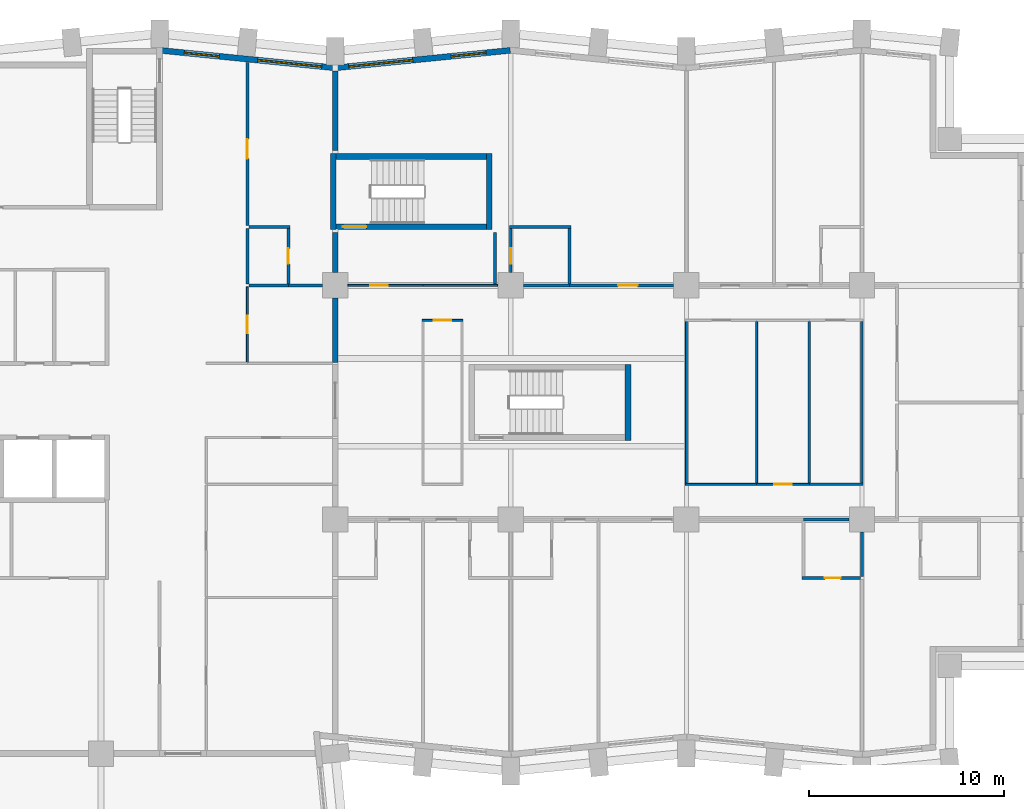
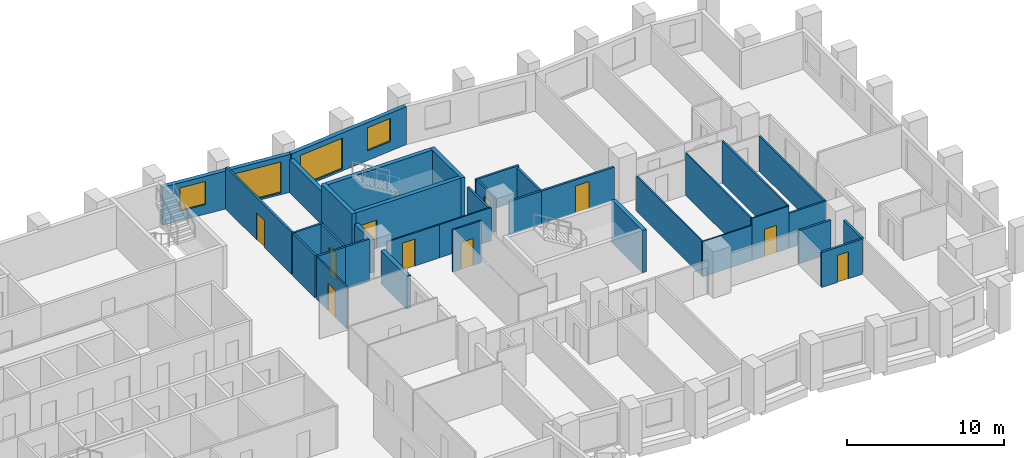
# One storey, part 8 of 12: 36 walls, 10 doors, 4 windows, 14 openings.
"""IFC4 building model written with IfcOpenShell, lengths in metres."""

from ifc_helpers import new_model, si_unit, direction, frame, frame_2d, origin, place, context, subcontext, project, spatial, rectangle, extrude, material, layer, layer_set, type_object, element, fill, save


model = new_model("IFC4")

# Units and contexts
model_context = context("Model", 3, precision=1e-05, world=origin(), true_north=direction((0.0, 1.0)))
body_context = subcontext(model_context, "Body", "Model", "MODEL_VIEW")
ifc_project = project(units=[si_unit("LENGTHUNIT", "METRE"), si_unit("AREAUNIT", "SQUARE_METRE"), si_unit("VOLUMEUNIT", "CUBIC_METRE"), si_unit("PLANEANGLEUNIT", "RADIAN"), si_unit("MASSUNIT", "GRAM", prefix="KILO")], contexts=[model_context])

# Site, building, storey
site_placement = place(None, origin())
site = spatial("IfcSite", under=ifc_project, at=site_placement, CompositionType="ELEMENT")
building_placement = place(site_placement, origin())
building = spatial("IfcBuilding", under=site, at=building_placement, Name="Brondeck Convention Tower", CompositionType="ELEMENT")
storey_placement = place(building_placement, frame((0.0, 0.0, 80.699951171875)))
storey = spatial("IfcBuildingStorey", under=building, at=storey_placement, Name="L18", CompositionType="ELEMENT", Elevation=80.699951171875)

# Walls
ifc_material_1 = material(Name="Concrete compartment wall C30/37", Category="concrete")
ifc_layer_1 = layer(ifc_material_1, 0.300048828125)
ifc_layer_set_1 = layer_set([ifc_layer_1], Name="Compartment wall 300")
wall_type_1 = type_object("IfcWallType", Name="Compartment wall 300", PredefinedType="PARTITIONING", material=ifc_layer_set_1)
wall_1_placement = place(storey_placement, frame((36.0, 50.344970703125, 0.0), z_axis=(0.0, 0.0, 1.0), x_axis=(0.0, -1.0, 0.0)))
element("IfcWall", 1, at=wall_1_placement, inside=storey, type_object=wall_type_1, Name="FLR-L18-W103", PredefinedType="PARTITIONING", context=body_context, shape_type="SweptSolid", body=[
    extrude(rectangle(XDim=3.294921875, YDim=0.300048828125, at=frame_2d((1.6474609375, 0.0))), origin(), (0.0, 0.0, 1.0), 2.580078125),
])
wall_2_placement = place(storey_placement, frame((36.0, 53.699951171875, 0.0), z_axis=(0.0, 0.0, 1.0), x_axis=(0.0, -1.0, 0.0)))
element("IfcWall", 2, at=wall_2_placement, inside=storey, type_object=wall_type_1, Name="FLR-L18-W118", PredefinedType="PARTITIONING", context=body_context, shape_type="SweptSolid", body=[
    extrude(rectangle(XDim=2.044921875, YDim=0.300048828125, at=frame_2d((1.0224609375, 0.0))), origin(), (0.0, 0.0, 1.0), 2.580078125),
])
wall_3_placement = place(storey_placement, frame((36.0, 61.97509765625, 0.0), z_axis=(0.0, 0.0, 1.0), x_axis=(0.0, -1.0, 0.0)))
element("IfcWall", 3, at=wall_3_placement, inside=storey, type_object=wall_type_1, Name="FLR-L18-W127", PredefinedType="PARTITIONING", context=body_context, shape_type="SweptSolid", body=[
    extrude(rectangle(XDim=4.0751953125, YDim=0.300048828125, at=frame_2d((2.03759765625, 0.0))), origin(), (0.0, 0.0, 1.0), 2.580078125),
])

# Wall, openings, windows
ifc_material_2 = material(Name="Precast concrete C50/60 bronze finish", Category="concrete")
ifc_layer_2 = layer(ifc_material_2, 0.070068359375, Name="Bronze precast facing")
ifc_material_3 = material(Name="Mineral wool")
ifc_layer_3 = layer(ifc_material_3, 0.159912109375, Name="Insulation")
ifc_material_4 = material(Name="Concrete C35/45", Category="concrete")
ifc_layer_4 = layer(ifc_material_4, 0.070068359375, Name="Backing")
ifc_layer_set_2 = layer_set([ifc_layer_2, ifc_layer_3, ifc_layer_4], Name="External infill wall, precast concrete C50/60 bronze facing")
wall_type_2 = type_object("IfcWallType", Name="External infill wall, precast concrete C50/60 bronze facing", PredefinedType="SOLIDWALL", material=ifc_layer_set_2)
wall_4_placement = place(storey_placement, frame((35.985107421875, 62.144287109375, 0.0), z_axis=(0.0, 0.0, 1.0), x_axis=(0.995037993253, 0.099495688264, 0.0)))
wall_4 = element("IfcWall", 4, at=wall_4_placement, inside=storey, type_object=wall_type_2, Name="ENV-EW-L18-P0-A-N-09", PredefinedType="SOLIDWALL", context=body_context, shape_type="SweptSolid", body=[
    extrude(rectangle(XDim=9.030029296875, YDim=0.300048828125, at=frame_2d((4.51513671875, 0.0))), origin(), (0.0, 0.0, 1.0), 2.949951171875),
])
opening_1_placement = place(wall_4_placement, frame((0.711181640625, 0.0, 0.14990234375)))
opening_1 = element("IfcOpeningElement", 5, at=opening_1_placement, cuts=wall_4, Name="Opening W9", PredefinedType="OPENING", context=body_context, shape_type="SweptSolid", body=[
    extrude(rectangle(XDim=3.300048828125, YDim=2.39990234375, at=frame_2d((1.64990234375, 1.199951171875))), frame((0.0, 0.159912109375, 0.0), z_axis=(0.0, -1.0, 0.0), x_axis=(1.0, 0.0, 0.0)), (0.0, 0.0, 1.0), 0.320068359375),
])
opening_2_placement = place(wall_4_placement, frame((5.983642578125, 0.0, 0.75)))
opening_2 = element("IfcOpeningElement", 6, at=opening_2_placement, cuts=wall_4, Name="Opening W10", PredefinedType="OPENING", context=body_context, shape_type="SweptSolid", body=[
    extrude(rectangle(XDim=1.800048828125, YDim=1.800048828125, at=frame_2d((0.89990234375, 0.89990234375))), frame((0.0, 0.159912109375, 0.0), z_axis=(0.0, -1.0, 0.0), x_axis=(1.0, 0.0, 0.0)), (0.0, 0.0, 1.0), 0.320068359375),
])
ifc_material_5 = material(Name="Bronze tinted double glazing", Category="glass")
window_type_1 = type_object("IfcWindowType", Name="Glazed flute window, bronze tinted", PartitioningType="SINGLE_PANEL", PredefinedType="WINDOW", material=ifc_material_5)
window_1_placement = place(opening_1_placement, origin())
window_1 = element("IfcWindow", 7, at=window_1_placement, inside=storey, type_object=window_type_1, Name="ENV-WN-L18-P0-A-N-08", OverallHeight=2.39990234375, OverallWidth=3.300048828125, PartitioningType="SINGLE_PANEL", PredefinedType="WINDOW", context=body_context, shape_type="SweptSolid", body=[
    extrude(rectangle(XDim=3.300048828125, YDim=2.39990234375, at=frame_2d((1.64990234375, 1.199951171875))), frame((0.0, 0.030029296875, 0.0), z_axis=(0.0, -1.0, 0.0), x_axis=(1.0, 0.0, 0.0)), (0.0, 0.0, 1.0), 0.06005859375),
])
fill(opening_1, window_1)
window_type_2 = type_object("IfcWindowType", Name="Punched window, bronze tinted", PartitioningType="SINGLE_PANEL", PredefinedType="WINDOW", material=ifc_material_5)
window_2_placement = place(opening_2_placement, origin())
window_2 = element("IfcWindow", 8, at=window_2_placement, inside=storey, type_object=window_type_2, Name="ENV-WN-L18-P0-A-N-09", OverallHeight=1.800048828125, OverallWidth=1.800048828125, PartitioningType="SINGLE_PANEL", PredefinedType="WINDOW", context=body_context, shape_type="SweptSolid", body=[
    extrude(rectangle(XDim=1.800048828125, YDim=1.800048828125, at=frame_2d((0.89990234375, 0.89990234375))), frame((0.0, 0.030029296875, 0.0), z_axis=(0.0, -1.0, 0.0), x_axis=(1.0, 0.0, 0.0)), (0.0, 0.0, 1.0), 0.06005859375),
])
fill(opening_2, window_2)

wall_5_placement = place(storey_placement, frame((27.064697265625, 63.039306640625, 0.0), z_axis=(0.0, 0.0, 1.0), x_axis=(0.995036379926, -0.099511821531, 0.0)))
wall_5 = element("IfcWall", 9, at=wall_5_placement, inside=storey, type_object=wall_type_2, Name="ENV-EW-L18-P0-A-N-07", PredefinedType="SOLIDWALL", context=body_context, shape_type="SweptSolid", body=[
    extrude(rectangle(XDim=8.949951171875, YDim=0.300048828125, at=frame_2d((4.47509765625, 0.0))), origin(), (0.0, 0.0, 1.0), 2.949951171875),
])
opening_3_placement = place(wall_5_placement, frame((1.211181640625, 0.0, 0.75)))
opening_3 = element("IfcOpeningElement", 10, at=opening_3_placement, cuts=wall_5, Name="Opening W10", PredefinedType="OPENING", context=body_context, shape_type="SweptSolid", body=[
    extrude(rectangle(XDim=1.800048828125, YDim=1.800048828125, at=frame_2d((0.89990234375, 0.89990234375))), frame((0.0, 0.159912109375, 0.0), z_axis=(0.0, -1.0, 0.0), x_axis=(1.0, 0.0, 0.0)), (0.0, 0.0, 1.0), 0.320068359375),
])
opening_4_placement = place(wall_5_placement, frame((4.983642578125, 0.0, 0.14990234375)))
opening_4 = element("IfcOpeningElement", 11, at=opening_4_placement, cuts=wall_5, Name="Opening W9", PredefinedType="OPENING", context=body_context, shape_type="SweptSolid", body=[
    extrude(rectangle(XDim=3.300048828125, YDim=2.39990234375, at=frame_2d((1.64990234375, 1.199951171875))), frame((0.0, 0.159912109375, 0.0), z_axis=(0.0, -1.0, 0.0), x_axis=(1.0, 0.0, 0.0)), (0.0, 0.0, 1.0), 0.320068359375),
])
window_3_placement = place(opening_4_placement, origin())
window_3 = element("IfcWindow", 12, at=window_3_placement, inside=storey, type_object=window_type_1, Name="ENV-WN-L18-P0-A-N-07", OverallHeight=2.39990234375, OverallWidth=3.300048828125, PartitioningType="SINGLE_PANEL", PredefinedType="WINDOW", context=body_context, shape_type="SweptSolid", body=[
    extrude(rectangle(XDim=3.300048828125, YDim=2.39990234375, at=frame_2d((1.64990234375, 1.199951171875))), frame((0.0, 0.030029296875, 0.0), z_axis=(0.0, -1.0, 0.0), x_axis=(1.0, 0.0, 0.0)), (0.0, 0.0, 1.0), 0.06005859375),
])
fill(opening_4, window_3)
window_4_placement = place(opening_3_placement, origin())
window_4 = element("IfcWindow", 13, at=window_4_placement, inside=storey, type_object=window_type_2, Name="ENV-WN-L18-P0-A-N-06", OverallHeight=1.800048828125, OverallWidth=1.800048828125, PartitioningType="SINGLE_PANEL", PredefinedType="WINDOW", context=body_context, shape_type="SweptSolid", body=[
    extrude(rectangle(XDim=1.800048828125, YDim=1.800048828125, at=frame_2d((0.89990234375, 0.89990234375))), frame((0.0, 0.030029296875, 0.0), z_axis=(0.0, -1.0, 0.0), x_axis=(1.0, 0.0, 0.0)), (0.0, 0.0, 1.0), 0.06005859375),
])
fill(opening_3, window_4)

# Wall, opening, door
ifc_material_6 = material(Name="Double gypsum board acoustic wall")
ifc_layer_5 = layer(ifc_material_6, 0.14990234375)
ifc_layer_set_3 = layer_set([ifc_layer_5], Name="Guest room party wall 150")
wall_type_3 = type_object("IfcWallType", Name="Guest room party wall 150", PredefinedType="PARTITIONING", material=ifc_layer_set_3)
wall_6_placement = place(storey_placement, frame((59.925048828125, 36.0, 0.0), z_axis=(0.0, 0.0, 1.0), x_axis=(1.0, 0.0, 0.0)))
wall_6 = element("IfcWall", 14, at=wall_6_placement, inside=storey, type_object=wall_type_3, Name="FLR-L18-W054", PredefinedType="PARTITIONING", context=body_context, shape_type="SweptSolid", body=[
    extrude(rectangle(XDim=3.0, YDim=0.14990234375, at=frame_2d((1.5, 0.0))), origin(), (0.0, 0.0, 1.0), 2.72998046875),
])
opening_5_placement = place(wall_6_placement, frame((1.175048828125, 0.0, 0.0)))
opening_5 = element("IfcOpeningElement", 15, at=opening_5_placement, cuts=wall_6, Name="Opening H5-014", PredefinedType="OPENING", context=body_context, shape_type="SweptSolid", body=[
    extrude(rectangle(XDim=0.800048828125, YDim=2.10009765625, at=frame_2d((0.39990234375, 1.050048828125))), frame((0.0, 0.0849609375, 0.0), z_axis=(0.0, -1.0, 0.0), x_axis=(1.0, 0.0, 0.0)), (0.0, 0.0, 1.0), 0.169921875),
])
ifc_material_7 = material(Name="Solid timber door leaf", Category="wood")
door_type_1 = type_object("IfcDoorType", Name="En-suite door 800", OperationType="NOTDEFINED", PredefinedType="DOOR", material=ifc_material_7)
door_1_placement = place(opening_5_placement, origin())
door_1 = element("IfcDoor", 16, at=door_1_placement, inside=storey, type_object=door_type_1, Name="Door H5-014", OperationType="SINGLE_SWING_RIGHT", OverallHeight=2.10009765625, OverallWidth=0.800048828125, PredefinedType="DOOR", context=body_context, shape_type="SweptSolid", body=[
    extrude(rectangle(XDim=0.800048828125, YDim=2.10009765625, at=frame_2d((0.39990234375, 1.050048828125))), frame((0.0, 0.02490234375, 0.0), z_axis=(0.0, -1.0, 0.0), x_axis=(1.0, 0.0, 0.0)), (0.0, 0.0, 1.0), 0.050048828125),
])
fill(opening_5, door_1)

# Walls
wall_7_placement = place(storey_placement, frame((63.0, 38.344970703125, 0.0), z_axis=(0.0, 0.0, 1.0), x_axis=(0.0, -1.0, 0.0)))
element("IfcWall", 17, at=wall_7_placement, inside=storey, type_object=wall_type_3, Name="FLR-L18-W061", PredefinedType="PARTITIONING", context=body_context, shape_type="SweptSolid", body=[
    extrude(rectangle(XDim=2.27001953125, YDim=0.14990234375, at=frame_2d((1.135009765625, 0.0))), origin(), (0.0, 0.0, 1.0), 2.72998046875),
])
wall_8_placement = place(storey_placement, frame((62.344970703125, 39.0, 0.0), z_axis=(0.0, 0.0, 1.0), x_axis=(-1.0, 0.0, 0.0)))
element("IfcWall", 18, at=wall_8_placement, inside=storey, type_object=wall_type_3, Name="FLR-L18-W075", PredefinedType="PARTITIONING", context=body_context, shape_type="SweptSolid", body=[
    extrude(rectangle(XDim=2.344970703125, YDim=0.14990234375, at=frame_2d((1.17236328125, 0.0))), origin(), (0.0, 0.0, 1.0), 2.580078125),
])
wall_9_placement = place(storey_placement, frame((31.574951171875, 51.0, 0.0), z_axis=(0.0, 0.0, 1.0), x_axis=(1.0, 0.0, 0.0)))
element("IfcWall", 19, at=wall_9_placement, inside=storey, type_object=wall_type_3, Name="FLR-L18-W106", PredefinedType="PARTITIONING", context=body_context, shape_type="SweptSolid", body=[
    extrude(rectangle(XDim=2.025146484375, YDim=0.14990234375, at=frame_2d((1.0126953125, 0.0))), origin(), (0.0, 0.0, 1.0), 3.280029296875),
])
wall_10_placement = place(storey_placement, frame((33.60009765625, 51.0, 0.0), z_axis=(0.0, 0.0, 1.0), x_axis=(1.0, 0.0, 0.0)))
element("IfcWall", 20, at=wall_10_placement, inside=storey, type_object=wall_type_3, Name="FLR-L18-W107", PredefinedType="PARTITIONING", context=body_context, shape_type="SweptSolid", body=[
    extrude(rectangle(XDim=1.744873046875, YDim=0.14990234375, at=frame_2d((0.87255859375, 0.0))), origin(), (0.0, 0.0, 1.0), 3.280029296875),
])
wall_11_placement = place(storey_placement, frame((45.655029296875, 51.0, 0.0), z_axis=(0.0, 0.0, 1.0), x_axis=(1.0, 0.0, 0.0)))
element("IfcWall", 21, at=wall_11_placement, inside=storey, type_object=wall_type_3, Name="FLR-L18-W110", PredefinedType="PARTITIONING", context=body_context, shape_type="SweptSolid", body=[
    extrude(rectangle(XDim=2.344970703125, YDim=0.14990234375, at=frame_2d((1.17236328125, 0.0))), origin(), (0.0, 0.0, 1.0), 2.580078125),
])

# Wall, opening, door
wall_12_placement = place(storey_placement, frame((48.0, 51.0, 0.0), z_axis=(0.0, 0.0, 1.0), x_axis=(1.0, 0.0, 0.0)))
wall_12 = element("IfcWall", 22, at=wall_12_placement, inside=storey, type_object=wall_type_3, Name="FLR-L18-W111", PredefinedType="PARTITIONING", context=body_context, shape_type="SweptSolid", body=[
    extrude(rectangle(XDim=5.344970703125, YDim=0.14990234375, at=frame_2d((2.67236328125, 0.0))), origin(), (0.0, 0.0, 1.0), 2.580078125),
])
opening_6_placement = place(wall_12_placement, frame((2.5, 0.0, 0.0)))
opening_6 = element("IfcOpeningElement", 23, at=opening_6_placement, cuts=wall_12, Name="Opening H5-002", PredefinedType="OPENING", context=body_context, shape_type="SweptSolid", body=[
    extrude(rectangle(XDim=1.0, YDim=2.10009765625, at=frame_2d((0.5, 1.050048828125))), frame((0.0, 0.0849609375, 0.0), z_axis=(0.0, -1.0, 0.0), x_axis=(1.0, 0.0, 0.0)), (0.0, 0.0, 1.0), 0.169921875),
])
ifc_material_8 = material(Name="Solid timber fire door leaf", Category="wood")
door_type_2 = type_object("IfcDoorType", Name="Guest room door 1000", OperationType="NOTDEFINED", PredefinedType="DOOR", material=ifc_material_8)
door_2_placement = place(opening_6_placement, origin())
door_2 = element("IfcDoor", 24, at=door_2_placement, inside=storey, type_object=door_type_2, Name="Door H5-002", OperationType="SINGLE_SWING_RIGHT", OverallHeight=2.10009765625, OverallWidth=1.0, PredefinedType="DOOR", context=body_context, shape_type="SweptSolid", body=[
    extrude(rectangle(XDim=1.0, YDim=2.10009765625, at=frame_2d((0.5, 1.050048828125))), frame((0.0, 0.02490234375, 0.0), z_axis=(0.0, -1.0, 0.0), x_axis=(1.0, 0.0, 0.0)), (0.0, 0.0, 1.0), 0.050048828125),
])
fill(opening_6, door_2)

wall_13_placement = place(storey_placement, frame((33.60009765625, 51.074951171875, 0.0), z_axis=(0.0, 0.0, 1.0), x_axis=(0.0, 1.0, 0.0)))
wall_13 = element("IfcWall", 25, at=wall_13_placement, inside=storey, type_object=wall_type_3, Name="FLR-L18-W116", PredefinedType="PARTITIONING", context=body_context, shape_type="SweptSolid", body=[
    extrude(rectangle(XDim=2.85009765625, YDim=0.14990234375, at=frame_2d((1.425048828125, 0.0))), origin(), (0.0, 0.0, 1.0), 3.280029296875),
])
opening_7_placement = place(wall_13_placement, frame((1.02490234375, 0.0, 0.0)))
opening_7 = element("IfcOpeningElement", 26, at=opening_7_placement, cuts=wall_13, Name="Opening H5-034", PredefinedType="OPENING", context=body_context, shape_type="SweptSolid", body=[
    extrude(rectangle(XDim=0.800048828125, YDim=2.10009765625, at=frame_2d((0.39990234375, 1.050048828125))), frame((0.0, 0.0849609375, 0.0), z_axis=(0.0, -1.0, 0.0), x_axis=(1.0, 0.0, 0.0)), (0.0, 0.0, 1.0), 0.169921875),
])
door_3_placement = place(opening_7_placement, origin())
door_3 = element("IfcDoor", 27, at=door_3_placement, inside=storey, type_object=door_type_1, Name="Door H5-034", OperationType="SINGLE_SWING_LEFT", OverallHeight=2.10009765625, OverallWidth=0.800048828125, PredefinedType="DOOR", context=body_context, shape_type="SweptSolid", body=[
    extrude(rectangle(XDim=0.800048828125, YDim=2.10009765625, at=frame_2d((0.39990234375, 1.050048828125))), frame((0.0, 0.02490234375, 0.0), z_axis=(0.0, -1.0, 0.0), x_axis=(1.0, 0.0, 0.0)), (0.0, 0.0, 1.0), 0.050048828125),
])
fill(opening_7, door_3)

# Walls
wall_14_placement = place(storey_placement, frame((48.0, 51.074951171875, 0.0), z_axis=(0.0, 0.0, 1.0), x_axis=(0.0, 1.0, 0.0)))
element("IfcWall", 28, at=wall_14_placement, inside=storey, type_object=wall_type_3, Name="FLR-L18-W117", PredefinedType="PARTITIONING", context=body_context, shape_type="SweptSolid", body=[
    extrude(rectangle(XDim=2.85009765625, YDim=0.14990234375, at=frame_2d((1.425048828125, 0.0))), origin(), (0.0, 0.0, 1.0), 2.580078125),
])
wall_15_placement = place(storey_placement, frame((44.199951171875, 53.699951171875, 0.0), z_axis=(0.0, 0.0, 1.0), x_axis=(0.0, -1.0, 0.0)))
element("IfcWall", 29, at=wall_15_placement, inside=storey, type_object=wall_type_3, Name="FLR-L18-W119", PredefinedType="PARTITIONING", context=body_context, shape_type="SweptSolid", body=[
    extrude(rectangle(XDim=2.625, YDim=0.14990234375, at=frame_2d((1.3125, 0.0))), origin(), (0.0, 0.0, 1.0), 2.580078125),
])
wall_16_placement = place(storey_placement, frame((31.5, 53.925048828125, 0.0), z_axis=(0.0, 0.0, 1.0), x_axis=(0.0, -1.0, 0.0)))
element("IfcWall", 30, at=wall_16_placement, inside=storey, type_object=wall_type_3, Name="FLR-L18-W120", PredefinedType="PARTITIONING", context=body_context, shape_type="SweptSolid", body=[
    extrude(rectangle(XDim=2.85009765625, YDim=0.14990234375, at=frame_2d((1.425048828125, 0.0))), origin(), (0.0, 0.0, 1.0), 3.280029296875),
])

# Wall, opening, door
wall_17_placement = place(storey_placement, frame((45.0, 53.925048828125, 0.0), z_axis=(0.0, 0.0, 1.0), x_axis=(0.0, -1.0, 0.0)))
wall_17 = element("IfcWall", 31, at=wall_17_placement, inside=storey, type_object=wall_type_3, Name="FLR-L18-W121", PredefinedType="PARTITIONING", context=body_context, shape_type="SweptSolid", body=[
    extrude(rectangle(XDim=2.27001953125, YDim=0.14990234375, at=frame_2d((1.135009765625, 0.0))), origin(), (0.0, 0.0, 1.0), 2.72998046875),
])
opening_8_placement = place(wall_17_placement, frame((1.02490234375, 0.0, 0.0)))
opening_8 = element("IfcOpeningElement", 32, at=opening_8_placement, cuts=wall_17, Name="Opening H5-003", PredefinedType="OPENING", context=body_context, shape_type="SweptSolid", body=[
    extrude(rectangle(XDim=0.800048828125, YDim=2.10009765625, at=frame_2d((0.39990234375, 1.050048828125))), frame((0.0, 0.0849609375, 0.0), z_axis=(0.0, -1.0, 0.0), x_axis=(1.0, 0.0, 0.0)), (0.0, 0.0, 1.0), 0.169921875),
])
door_4_placement = place(opening_8_placement, origin())
door_4 = element("IfcDoor", 33, at=door_4_placement, inside=storey, type_object=door_type_1, Name="Door H5-003", OperationType="SINGLE_SWING_RIGHT", OverallHeight=2.10009765625, OverallWidth=0.800048828125, PredefinedType="DOOR", context=body_context, shape_type="SweptSolid", body=[
    extrude(rectangle(XDim=0.800048828125, YDim=2.10009765625, at=frame_2d((0.39990234375, 1.050048828125))), frame((0.0, 0.02490234375, 0.0), z_axis=(0.0, -1.0, 0.0), x_axis=(1.0, 0.0, 0.0)), (0.0, 0.0, 1.0), 0.050048828125),
])
fill(opening_8, door_4)

# Walls
wall_18_placement = place(storey_placement, frame((33.675048828125, 54.0, 0.0), z_axis=(0.0, 0.0, 1.0), x_axis=(-1.0, 0.0, 0.0)))
element("IfcWall", 34, at=wall_18_placement, inside=storey, type_object=wall_type_3, Name="FLR-L18-W124", PredefinedType="PARTITIONING", context=body_context, shape_type="SweptSolid", body=[
    extrude(rectangle(XDim=2.10009765625, YDim=0.14990234375, at=frame_2d((1.050048828125, 0.0))), origin(), (0.0, 0.0, 1.0), 3.280029296875),
])
wall_19_placement = place(storey_placement, frame((48.074951171875, 54.0, 0.0), z_axis=(0.0, 0.0, 1.0), x_axis=(-1.0, 0.0, 0.0)))
element("IfcWall", 35, at=wall_19_placement, inside=storey, type_object=wall_type_3, Name="FLR-L18-W125", PredefinedType="PARTITIONING", context=body_context, shape_type="SweptSolid", body=[
    extrude(rectangle(XDim=3.14990234375, YDim=0.14990234375, at=frame_2d((1.574951171875, 0.0))), origin(), (0.0, 0.0, 1.0), 2.72998046875),
])

# Wall, opening, door
wall_20_placement = place(storey_placement, frame((31.5, 62.425048828125, 0.0), z_axis=(0.0, 0.0, 1.0), x_axis=(0.0, -1.0, 0.0)))
wall_20 = element("IfcWall", 36, at=wall_20_placement, inside=storey, type_object=wall_type_3, Name="FLR-L18-W129", PredefinedType="PARTITIONING", context=body_context, shape_type="SweptSolid", body=[
    extrude(rectangle(XDim=8.35009765625, YDim=0.14990234375, at=frame_2d((4.175048828125, 0.0))), origin(), (0.0, 0.0, 1.0), 3.280029296875),
])
opening_9_placement = place(wall_20_placement, frame((3.925048828125, 0.0, 0.0)))
opening_9 = element("IfcOpeningElement", 37, at=opening_9_placement, cuts=wall_20, Name="Opening H5-033", PredefinedType="OPENING", context=body_context, shape_type="SweptSolid", body=[
    extrude(rectangle(XDim=1.0, YDim=2.10009765625, at=frame_2d((0.5, 1.050048828125))), frame((0.0, 0.0849609375, 0.0), z_axis=(0.0, -1.0, 0.0), x_axis=(1.0, 0.0, 0.0)), (0.0, 0.0, 1.0), 0.169921875),
])
door_5_placement = place(opening_9_placement, origin())
door_5 = element("IfcDoor", 38, at=door_5_placement, inside=storey, type_object=door_type_2, Name="Door H5-033", OperationType="SINGLE_SWING_LEFT", OverallHeight=2.10009765625, OverallWidth=1.0, PredefinedType="DOOR", context=body_context, shape_type="SweptSolid", body=[
    extrude(rectangle(XDim=1.0, YDim=2.10009765625, at=frame_2d((0.5, 1.050048828125))), frame((0.0, 0.02490234375, 0.0), z_axis=(0.0, -1.0, 0.0), x_axis=(1.0, 0.0, 0.0)), (0.0, 0.0, 1.0), 0.050048828125),
])
fill(opening_9, door_5)

# Walls
ifc_material_9 = material(Name="Gypsum board shaft wall on steel studs", Category="steel")
ifc_layer_6 = layer(ifc_material_9, 0.125)
ifc_layer_set_4 = layer_set([ifc_layer_6], Name="Riser wall 125")
wall_type_4 = type_object("IfcWallType", Name="Riser wall 125", PredefinedType="PARTITIONING", material=ifc_layer_set_4)
wall_21_placement = place(storey_placement, frame((60.300048828125, 40.800048828125, 0.0), z_axis=(0.0, 0.0, 1.0), x_axis=(1.0, 0.0, 0.0)))
element("IfcWall", 39, at=wall_21_placement, inside=storey, type_object=wall_type_4, Name="FLR-L18-W084", PredefinedType="PARTITIONING", context=body_context, shape_type="SweptSolid", body=[
    extrude(rectangle(XDim=2.762451171875, YDim=0.125, at=frame_2d((1.38134765625, 0.0))), origin(), (0.0, 0.0, 1.0), 2.72998046875),
])
wall_22_placement = place(storey_placement, frame((63.0, 40.862548828125, 0.0), z_axis=(0.0, 0.0, 1.0), x_axis=(0.0, 1.0, 0.0)))
element("IfcWall", 40, at=wall_22_placement, inside=storey, type_object=wall_type_4, Name="FLR-L18-W085", PredefinedType="PARTITIONING", context=body_context, shape_type="SweptSolid", body=[
    extrude(rectangle(XDim=8.27490234375, YDim=0.125, at=frame_2d((4.137451171875, 0.0))), origin(), (0.0, 0.0, 1.0), 2.72998046875),
])
wall_23_placement = place(storey_placement, frame((60.300048828125, 49.137451171875, 0.0), z_axis=(0.0, 0.0, 1.0), x_axis=(0.0, -1.0, 0.0)))
element("IfcWall", 41, at=wall_23_placement, inside=storey, type_object=wall_type_4, Name="FLR-L18-W094", PredefinedType="PARTITIONING", context=body_context, shape_type="SweptSolid", body=[
    extrude(rectangle(XDim=8.27490234375, YDim=0.125, at=frame_2d((4.137451171875, 0.0))), origin(), (0.0, 0.0, 1.0), 3.280029296875),
])
ifc_material_10 = material(Name="Gypsum board partition on steel studs", Category="steel")
ifc_layer_7 = layer(ifc_material_10, 0.10009765625)
ifc_layer_set_5 = layer_set([ifc_layer_7], Name="Room partition 100")
wall_type_5 = type_object("IfcWallType", Name="Room partition 100", PredefinedType="PARTITIONING", material=ifc_layer_set_5)
wall_24_placement = place(storey_placement, frame((53.949951171875, 40.800048828125, 0.0), z_axis=(0.0, 0.0, 1.0), x_axis=(1.0, 0.0, 0.0)))
element("IfcWall", 42, at=wall_24_placement, inside=storey, type_object=wall_type_5, Name="FLR-L18-W082", PredefinedType="PARTITIONING", context=body_context, shape_type="SweptSolid", body=[
    extrude(rectangle(XDim=3.650146484375, YDim=0.10009765625, at=frame_2d((1.8251953125, 0.0))), origin(), (0.0, 0.0, 1.0), 2.72998046875),
])

# Wall, opening, door
wall_25_placement = place(storey_placement, frame((57.60009765625, 40.800048828125, 0.0), z_axis=(0.0, 0.0, 1.0), x_axis=(1.0, 0.0, 0.0)))
wall_25 = element("IfcWall", 43, at=wall_25_placement, inside=storey, type_object=wall_type_5, Name="FLR-L18-W083", PredefinedType="PARTITIONING", context=body_context, shape_type="SweptSolid", body=[
    extrude(rectangle(XDim=2.699951171875, YDim=0.10009765625, at=frame_2d((1.35009765625, 0.0))), origin(), (0.0, 0.0, 1.0), 3.280029296875),
])
opening_10_placement = place(wall_25_placement, frame((0.89990234375, 0.0, 0.0)))
opening_10 = element("IfcOpeningElement", 44, at=opening_10_placement, cuts=wall_25, Name="Opening H5-017", PredefinedType="OPENING", context=body_context, shape_type="SweptSolid", body=[
    extrude(rectangle(XDim=0.89990234375, YDim=2.10009765625, at=frame_2d((0.449951171875, 1.050048828125))), frame((0.0, 0.06005859375, 0.0), z_axis=(0.0, -1.0, 0.0), x_axis=(1.0, 0.0, 0.0)), (0.0, 0.0, 1.0), 0.1201171875),
])
door_type_3 = type_object("IfcDoorType", Name="Single door 900", OperationType="NOTDEFINED", PredefinedType="DOOR", material=ifc_material_7)
door_6_placement = place(opening_10_placement, origin())
door_6 = element("IfcDoor", 45, at=door_6_placement, inside=storey, type_object=door_type_3, Name="Door H5-017", OperationType="SINGLE_SWING_LEFT", OverallHeight=2.10009765625, OverallWidth=0.89990234375, PredefinedType="DOOR", context=body_context, shape_type="SweptSolid", body=[
    extrude(rectangle(XDim=0.89990234375, YDim=2.10009765625, at=frame_2d((0.449951171875, 1.050048828125))), frame((0.0, 0.02490234375, 0.0), z_axis=(0.0, -1.0, 0.0), x_axis=(1.0, 0.0, 0.0)), (0.0, 0.0, 1.0), 0.050048828125),
])
fill(opening_10, door_6)

# Walls
wall_26_placement = place(storey_placement, frame((54.0, 49.14990234375, 0.0), z_axis=(0.0, 0.0, 1.0), x_axis=(0.0, -1.0, 0.0)))
element("IfcWall", 46, at=wall_26_placement, inside=storey, type_object=wall_type_5, Name="FLR-L18-W097", PredefinedType="PARTITIONING", context=body_context, shape_type="SweptSolid", body=[
    extrude(rectangle(XDim=8.2998046875, YDim=0.10009765625, at=frame_2d((4.14990234375, 0.0))), origin(), (0.0, 0.0, 1.0), 2.72998046875),
])
wall_27_placement = place(storey_placement, frame((57.60009765625, 49.14990234375, 0.0), z_axis=(0.0, 0.0, 1.0), x_axis=(0.0, -1.0, 0.0)))
element("IfcWall", 47, at=wall_27_placement, inside=storey, type_object=wall_type_5, Name="FLR-L18-W098", PredefinedType="PARTITIONING", context=body_context, shape_type="SweptSolid", body=[
    extrude(rectangle(XDim=8.2998046875, YDim=0.10009765625, at=frame_2d((4.14990234375, 0.0))), origin(), (0.0, 0.0, 1.0), 3.280029296875),
])

# Wall, opening, door
wall_28_placement = place(storey_placement, frame((42.550048828125, 49.199951171875, 0.0), z_axis=(0.0, 0.0, 1.0), x_axis=(-1.0, 0.0, 0.0)))
wall_28 = element("IfcWall", 48, at=wall_28_placement, inside=storey, type_object=wall_type_5, Name="FLR-L18-W099", PredefinedType="PARTITIONING", context=body_context, shape_type="SweptSolid", body=[
    extrude(rectangle(XDim=2.10009765625, YDim=0.10009765625, at=frame_2d((1.050048828125, 0.0))), origin(), (0.0, 0.0, 1.0), 3.280029296875),
])
opening_11_placement = place(wall_28_placement, frame((0.60009765625, 0.0, 0.0)))
opening_11 = element("IfcOpeningElement", 49, at=opening_11_placement, cuts=wall_28, Name="Opening H5-015", PredefinedType="OPENING", context=body_context, shape_type="SweptSolid", body=[
    extrude(rectangle(XDim=0.89990234375, YDim=2.10009765625, at=frame_2d((0.449951171875, 1.050048828125))), frame((0.0, 0.06005859375, 0.0), z_axis=(0.0, -1.0, 0.0), x_axis=(1.0, 0.0, 0.0)), (0.0, 0.0, 1.0), 0.1201171875),
])
door_7_placement = place(opening_11_placement, origin())
door_7 = element("IfcDoor", 50, at=door_7_placement, inside=storey, type_object=door_type_3, Name="Door H5-015", OperationType="SINGLE_SWING_LEFT", OverallHeight=2.10009765625, OverallWidth=0.89990234375, PredefinedType="DOOR", context=body_context, shape_type="SweptSolid", body=[
    extrude(rectangle(XDim=0.89990234375, YDim=2.10009765625, at=frame_2d((0.449951171875, 1.050048828125))), frame((0.0, 0.02490234375, 0.0), z_axis=(0.0, -1.0, 0.0), x_axis=(1.0, 0.0, 0.0)), (0.0, 0.0, 1.0), 0.050048828125),
])
fill(opening_11, door_7)

wall_29_placement = place(storey_placement, frame((31.5, 50.925048828125, 0.0), z_axis=(0.0, 0.0, 1.0), x_axis=(0.0, -1.0, 0.0)))
wall_29 = element("IfcWall", 51, at=wall_29_placement, inside=storey, type_object=wall_type_5, Name="FLR-L18-W104", PredefinedType="PARTITIONING", context=body_context, shape_type="SweptSolid", body=[
    extrude(rectangle(XDim=3.875, YDim=0.10009765625, at=frame_2d((1.9375, 0.0))), origin(), (0.0, 0.0, 1.0), 3.280029296875),
])
opening_12_placement = place(wall_29_placement, frame((1.47509765625, 0.0, 0.0)))
opening_12 = element("IfcOpeningElement", 52, at=opening_12_placement, cuts=wall_29, Name="Opening H5-035", PredefinedType="OPENING", context=body_context, shape_type="SweptSolid", body=[
    extrude(rectangle(XDim=0.89990234375, YDim=2.10009765625, at=frame_2d((0.449951171875, 1.050048828125))), frame((0.0, 0.06005859375, 0.0), z_axis=(0.0, -1.0, 0.0), x_axis=(1.0, 0.0, 0.0)), (0.0, 0.0, 1.0), 0.1201171875),
])
door_8_placement = place(opening_12_placement, origin())
door_8 = element("IfcDoor", 53, at=door_8_placement, inside=storey, type_object=door_type_3, Name="Door H5-035", OperationType="SINGLE_SWING_LEFT", OverallHeight=2.10009765625, OverallWidth=0.89990234375, PredefinedType="DOOR", context=body_context, shape_type="SweptSolid", body=[
    extrude(rectangle(XDim=0.89990234375, YDim=2.10009765625, at=frame_2d((0.449951171875, 1.050048828125))), frame((0.0, 0.02490234375, 0.0), z_axis=(0.0, -1.0, 0.0), x_axis=(1.0, 0.0, 0.0)), (0.0, 0.0, 1.0), 0.050048828125),
])
fill(opening_12, door_8)

wall_30_placement = place(storey_placement, frame((40.5, 51.0, 0.0), z_axis=(0.0, 0.0, 1.0), x_axis=(-1.0, 0.0, 0.0)))
wall_30 = element("IfcWall", 54, at=wall_30_placement, inside=storey, type_object=wall_type_5, Name="FLR-L18-W108", PredefinedType="PARTITIONING", context=body_context, shape_type="SweptSolid", body=[
    extrude(rectangle(XDim=3.844970703125, YDim=0.10009765625, at=frame_2d((1.92236328125, 0.0))), origin(), (0.0, 0.0, 1.0), 2.580078125),
])
opening_13_placement = place(wall_30_placement, frame((1.800048828125, 0.0, 0.0)))
opening_13 = element("IfcOpeningElement", 55, at=opening_13_placement, cuts=wall_30, Name="Opening H5-001", PredefinedType="OPENING", context=body_context, shape_type="SweptSolid", body=[
    extrude(rectangle(XDim=0.89990234375, YDim=2.10009765625, at=frame_2d((0.449951171875, 1.050048828125))), frame((0.0, 0.06005859375, 0.0), z_axis=(0.0, -1.0, 0.0), x_axis=(1.0, 0.0, 0.0)), (0.0, 0.0, 1.0), 0.1201171875),
])
door_9_placement = place(opening_13_placement, origin())
door_9 = element("IfcDoor", 56, at=door_9_placement, inside=storey, type_object=door_type_3, Name="Door H5-001", OperationType="SINGLE_SWING_LEFT", OverallHeight=2.10009765625, OverallWidth=0.89990234375, PredefinedType="DOOR", context=body_context, shape_type="SweptSolid", body=[
    extrude(rectangle(XDim=0.89990234375, YDim=2.10009765625, at=frame_2d((0.449951171875, 1.050048828125))), frame((0.0, 0.02490234375, 0.0), z_axis=(0.0, -1.0, 0.0), x_axis=(1.0, 0.0, 0.0)), (0.0, 0.0, 1.0), 0.050048828125),
])
fill(opening_13, door_9)

# Wall
wall_31_placement = place(storey_placement, frame((44.330078125, 51.0, 0.0), z_axis=(0.0, 0.0, 1.0), x_axis=(-1.0, 0.0, 0.0)))
element("IfcWall", 57, at=wall_31_placement, inside=storey, type_object=wall_type_5, Name="FLR-L18-W109", PredefinedType="PARTITIONING", context=body_context, shape_type="SweptSolid", body=[
    extrude(rectangle(XDim=3.830078125, YDim=0.10009765625, at=frame_2d((1.9150390625, 0.0))), origin(), (0.0, 0.0, 1.0), 2.580078125),
])

# Wall, opening, door
ifc_material_11 = material(Name="Concrete C80/95", Category="concrete")
ifc_layer_8 = layer(ifc_material_11, 0.300048828125)
ifc_layer_set_6 = layer_set([ifc_layer_8], Name="Stair enclosure wall 300 Concrete C80/95")
wall_type_6 = type_object("IfcWallType", Name="Stair enclosure wall 300 Concrete C80/95", PredefinedType="SHEAR", material=ifc_layer_set_6)
wall_32_placement = place(storey_placement, frame((36.050048828125, 54.0, 0.0), z_axis=(0.0, 0.0, 1.0), x_axis=(1.0, 0.0, 0.0)))
wall_32 = element("IfcWall", 58, at=wall_32_placement, inside=storey, type_object=wall_type_6, Name="L18 core wall", PredefinedType="SHEAR", context=body_context, shape_type="SweptSolid", body=[
    extrude(rectangle(XDim=7.699951171875, YDim=0.300048828125, at=frame_2d((3.85009765625, 0.0))), origin(), (0.0, 0.0, 1.0), 3.300048828125),
])
opening_14_placement = place(wall_32_placement, frame((0.35009765625, 0.0, 0.0)))
opening_14 = element("IfcOpeningElement", 59, at=opening_14_placement, cuts=wall_32, Name="Opening C12-17", PredefinedType="OPENING", context=body_context, shape_type="SweptSolid", body=[
    extrude(rectangle(XDim=1.199951171875, YDim=2.199951171875, at=frame_2d((0.60009765625, 1.10009765625))), frame((0.0, 0.159912109375, 0.0), z_axis=(0.0, -1.0, 0.0), x_axis=(1.0, 0.0, 0.0)), (0.0, 0.0, 1.0), 0.320068359375),
])
ifc_material_12 = material(Name="Steel fire door", Category="steel")
door_type_4 = type_object("IfcDoorType", Name="Stair door 1200x2200 EI 90", OperationType="NOTDEFINED", PredefinedType="DOOR", material=ifc_material_12)
door_10_placement = place(opening_14_placement, origin())
door_10 = element("IfcDoor", 60, at=door_10_placement, inside=storey, type_object=door_type_4, Name="L18 Stair door ST-AE", OperationType="SINGLE_SWING_LEFT", OverallHeight=2.199951171875, OverallWidth=1.199951171875, PredefinedType="DOOR", context=body_context, shape_type="SweptSolid", body=[
    extrude(rectangle(XDim=1.199951171875, YDim=2.199951171875, at=frame_2d((0.60009765625, 1.10009765625))), frame((0.0, 0.02490234375, 0.0), z_axis=(0.0, -1.0, 0.0), x_axis=(1.0, 0.0, 0.0)), (0.0, 0.0, 1.0), 0.050048828125),
])
fill(opening_14, door_10)

# Walls
wall_33_placement = place(storey_placement, frame((36.050048828125, 57.60009765625, 0.0), z_axis=(0.0, 0.0, 1.0), x_axis=(1.0, 0.0, 0.0)))
element("IfcWall", 61, at=wall_33_placement, inside=storey, type_object=wall_type_6, Name="L18 core wall", PredefinedType="SHEAR", context=body_context, shape_type="SweptSolid", body=[
    extrude(rectangle(XDim=7.699951171875, YDim=0.300048828125, at=frame_2d((3.85009765625, 0.0))), origin(), (0.0, 0.0, 1.0), 3.300048828125),
])
for number, where, z_axis, x_axis, name in (
    (62, (35.89990234375, 53.85009765625, 0.0), (0.0, 0.0, 1.0), (0.0, 1.0, 0.0), "L18 core wall"),
    (63, (43.89990234375, 53.85009765625, 0.0), (0.0, 0.0, 1.0), (0.0, 1.0, 0.0), "L18 core wall"),
    (64, (51.0, 43.050048828125, 0.0), (0.0, 0.0, 1.0), (0.0, 1.0, 0.0), "L18 core wall"),
):
    element("IfcWall", number, at=place(storey_placement, frame(where, z_axis=z_axis, x_axis=x_axis)), inside=storey, type_object=wall_type_6, Name=name, PredefinedType="SHEAR", context=body_context, shape_type="SweptSolid", body=[
        extrude(rectangle(XDim=3.89990234375, YDim=0.300048828125, at=frame_2d((1.949951171875, 0.0))), origin(), (0.0, 0.0, 1.0), 3.300048828125),
    ])

save(model, "model.ifc")
